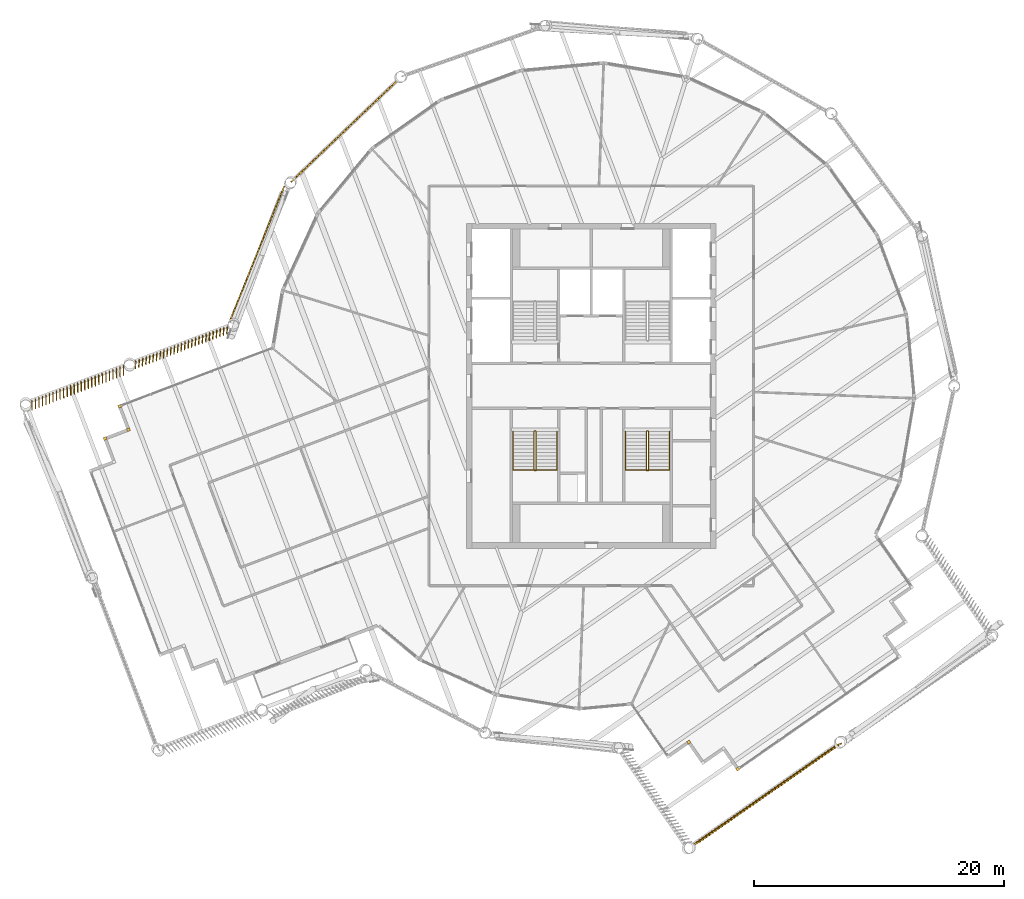
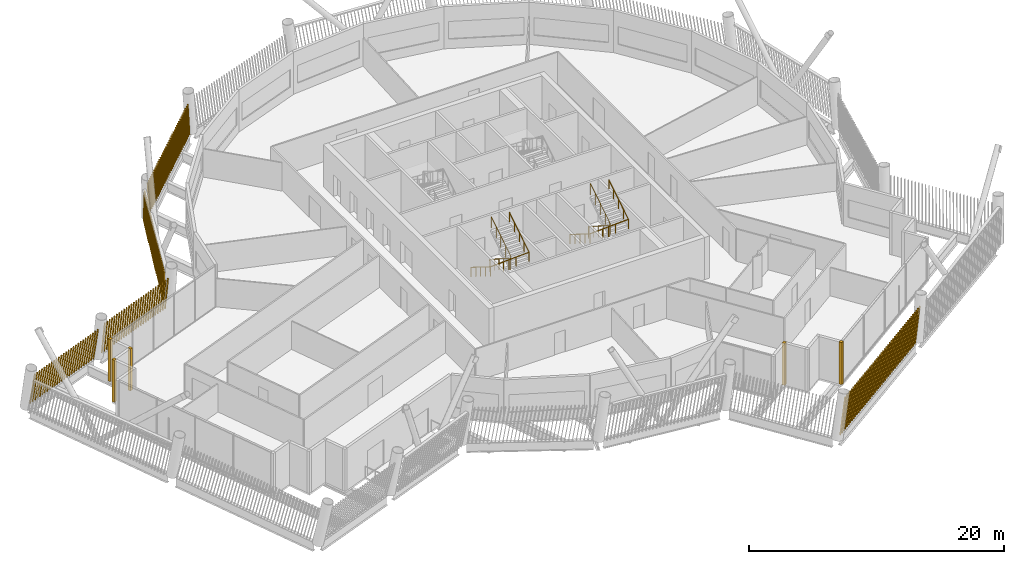
# One storey, part 30 of 33: 10 shading devices, 4 railings.
"""IFC4 building model written with IfcOpenShell, lengths in metres."""

from ifc_helpers import new_model, si_unit, direction, frame, frame_2d, origin, origin_2d, place, context, subcontext, project, spatial, rectangle, circle, composite_profile, extrude, material, type_object, element, save


model = new_model("IFC4")

# Units and contexts
model_context = context("Model", 3, precision=1e-05, world=origin(), true_north=direction((0.0, 1.0)))
body_context = subcontext(model_context, "Body", "Model", "MODEL_VIEW")
ifc_project = project(units=[si_unit("LENGTHUNIT", "METRE"), si_unit("AREAUNIT", "SQUARE_METRE"), si_unit("VOLUMEUNIT", "CUBIC_METRE"), si_unit("PLANEANGLEUNIT", "RADIAN"), si_unit("MASSUNIT", "GRAM", prefix="KILO")], contexts=[model_context])

# Site, building, storey
site_placement = place(None, origin())
site = spatial("IfcSite", under=ifc_project, at=site_placement, CompositionType="ELEMENT")
building_placement = place(site_placement, origin())
building = spatial("IfcBuilding", under=site, at=building_placement, Name="Tarsis Ring Headquarters", CompositionType="ELEMENT")
storey_placement = place(building_placement, frame((0.0, 0.0, 369.199951171875)))
storey = spatial("IfcBuildingStorey", under=building, at=storey_placement, Name="L87", CompositionType="ELEMENT", Elevation=369.199951171875)

# Railings
ifc_material_1 = material(Name="Steel S355", Category="steel")
railing_type_1 = type_object("IfcRailingType", Name="Core stair guard 1100", PredefinedType="GUARDRAIL", material=ifc_material_1)
railing_1_placement = place(storey_placement, frame((-4.4599609375, -3.610107421875, 0.0)))
element("IfcRailing", 1, at=railing_1_placement, inside=storey, type_object=railing_type_1, Name="L87 ST3 stair guard 1", PredefinedType="GUARDRAIL", context=body_context, shape_type="SweptSolid", body=[
    extrude(circle(Radius=0.02392578125, at=origin_2d()), frame((0.0, 0.0, 1.076171875), z_axis=(-1.0, 0.0, 0.0), x_axis=(0.0, -1.0, 0.0)), (0.0, 0.0, 1.0), 0.080078125),
    extrude(circle(Radius=0.02392578125, at=origin_2d()), frame((-0.080078125, 0.0, 1.076171875), z_axis=(-0.265155923931, -0.263862480399, 0.927399011991), x_axis=(0.705375805398, -0.708833529934, 0.0)), (0.0, 0.0, 1.0), 0.188720703125),
    extrude(circle(Radius=0.02392578125, at=origin_2d()), frame((-0.130126953125, -0.0498046875, 1.2509765625), z_axis=(0.0, -0.847998304005, 0.529998940003), x_axis=(1.0, 0.0, 0.0)), (0.0, 0.0, 1.0), 3.632080078125),
    extrude(circle(Radius=0.02392578125, at=origin_2d()), frame((-0.130126953125, -3.1298828125, 3.17626953125), z_axis=(0.707106781187, -0.707106781187, 0.0), x_axis=(0.707106781187, 0.707106781187, 0.0)), (0.0, 0.0, 1.0), 0.07080078125),
    extrude(circle(Radius=0.02392578125, at=origin_2d()), frame((-0.080078125, -3.179931640625, 3.17626953125), z_axis=(1.0, 0.0, 0.0), x_axis=(0.0, 1.0, 0.0)), (0.0, 0.0, 1.0), 0.080078125),
    extrude(circle(Radius=0.02392578125, at=origin_2d()), frame((0.0, -3.179931640625, 3.17626953125), z_axis=(0.265065253269, 0.265065253269, 0.927081885822), x_axis=(-0.707106781187, 0.707106781187, 0.0)), (0.0, 0.0, 1.0), 0.188720703125),
    extrude(circle(Radius=0.02392578125, at=origin_2d()), frame((0.050048828125, -3.1298828125, 3.35107421875), z_axis=(0.0, 0.848028513186, 0.529950602248), x_axis=(-1.0, 0.0, 0.0)), (0.0, 0.0, 1.0), 3.632080078125),
    extrude(circle(Radius=0.02099609375, at=origin_2d()), origin(), (0.0, 0.0, 1.0), 1.052001953125),
    extrude(circle(Radius=0.02099609375, at=origin_2d()), frame((-0.080078125, 0.0, 0.0)), (0.0, 0.0, 1.0), 1.052001953125),
    extrude(circle(Radius=0.02099609375, at=origin_2d()), frame((-0.130126953125, -0.0498046875, 0.175048828125)), (0.0, 0.0, 1.0), 1.052001953125),
    extrude(circle(Radius=0.02099609375, at=origin_2d()), frame((-0.130126953125, -0.81982421875, 0.65625)), (0.0, 0.0, 1.0), 1.052001953125),
    extrude(circle(Radius=0.02099609375, at=origin_2d()), frame((-0.130126953125, -1.58984375, 1.1376953125)), (0.0, 0.0, 1.0), 1.052001953125),
    extrude(circle(Radius=0.02099609375, at=origin_2d()), frame((-0.130126953125, -2.35986328125, 1.618896484375)), (0.0, 0.0, 1.0), 1.052001953125),
    extrude(circle(Radius=0.02099609375, at=origin_2d()), frame((-0.130126953125, -3.1298828125, 2.10009765625)), (0.0, 0.0, 1.0), 1.052001953125),
    extrude(circle(Radius=0.02099609375, at=origin_2d()), frame((-0.080078125, -3.179931640625, 2.10009765625)), (0.0, 0.0, 1.0), 1.052001953125),
    extrude(circle(Radius=0.02099609375, at=origin_2d()), frame((0.0, -3.179931640625, 2.10009765625)), (0.0, 0.0, 1.0), 1.052001953125),
    extrude(circle(Radius=0.02099609375, at=origin_2d()), frame((0.050048828125, -3.1298828125, 2.275146484375)), (0.0, 0.0, 1.0), 1.052001953125),
    extrude(circle(Radius=0.02099609375, at=origin_2d()), frame((0.050048828125, -2.35986328125, 2.75634765625)), (0.0, 0.0, 1.0), 1.052001953125),
    extrude(circle(Radius=0.02099609375, at=origin_2d()), frame((0.050048828125, -1.58984375, 3.237548828125)), (0.0, 0.0, 1.0), 1.052001953125),
    extrude(circle(Radius=0.02099609375, at=origin_2d()), frame((0.050048828125, -0.81982421875, 3.71875)), (0.0, 0.0, 1.0), 1.052001953125),
    extrude(circle(Radius=0.02099609375, at=origin_2d()), frame((0.050048828125, -0.0498046875, 4.199951171875)), (0.0, 0.0, 1.0), 1.052001953125),
])
railing_2_placement = place(storey_placement, frame((4.5400390625, -3.610107421875, 0.0)))
element("IfcRailing", 2, at=railing_2_placement, inside=storey, type_object=railing_type_1, Name="L87 ST4 stair guard 1", PredefinedType="GUARDRAIL", context=body_context, shape_type="SweptSolid", body=[
    extrude(circle(Radius=0.02392578125, at=origin_2d()), frame((0.0, 0.0, 1.076171875), z_axis=(-1.0, 0.0, 0.0), x_axis=(0.0, -1.0, 0.0)), (0.0, 0.0, 1.0), 0.080078125),
    extrude(circle(Radius=0.02392578125, at=origin_2d()), frame((-0.080078125, 0.0, 1.076171875), z_axis=(-0.265155923931, -0.263862480399, 0.927399011991), x_axis=(0.705375805398, -0.708833529934, 0.0)), (0.0, 0.0, 1.0), 0.188720703125),
    extrude(circle(Radius=0.02392578125, at=origin_2d()), frame((-0.130126953125, -0.0498046875, 1.2509765625), z_axis=(0.0, -0.847998304005, 0.529998940003), x_axis=(1.0, 0.0, 0.0)), (0.0, 0.0, 1.0), 3.632080078125),
    extrude(circle(Radius=0.02392578125, at=origin_2d()), frame((-0.130126953125, -3.1298828125, 3.17626953125), z_axis=(0.707106781187, -0.707106781187, 0.0), x_axis=(0.707106781187, 0.707106781187, 0.0)), (0.0, 0.0, 1.0), 0.07080078125),
    extrude(circle(Radius=0.02392578125, at=origin_2d()), frame((-0.080078125, -3.179931640625, 3.17626953125), z_axis=(1.0, 0.0, 0.0), x_axis=(0.0, 1.0, 0.0)), (0.0, 0.0, 1.0), 0.080078125),
    extrude(circle(Radius=0.02392578125, at=origin_2d()), frame((0.0, -3.179931640625, 3.17626953125), z_axis=(0.265065253269, 0.265065253269, 0.927081885822), x_axis=(-0.707106781187, 0.707106781187, 0.0)), (0.0, 0.0, 1.0), 0.188720703125),
    extrude(circle(Radius=0.02392578125, at=origin_2d()), frame((0.050048828125, -3.1298828125, 3.35107421875), z_axis=(0.0, 0.848028513186, 0.529950602248), x_axis=(-1.0, 0.0, 0.0)), (0.0, 0.0, 1.0), 3.632080078125),
    extrude(circle(Radius=0.02099609375, at=origin_2d()), origin(), (0.0, 0.0, 1.0), 1.052001953125),
    extrude(circle(Radius=0.02099609375, at=origin_2d()), frame((-0.080078125, 0.0, 0.0)), (0.0, 0.0, 1.0), 1.052001953125),
    extrude(circle(Radius=0.02099609375, at=origin_2d()), frame((-0.130126953125, -0.0498046875, 0.175048828125)), (0.0, 0.0, 1.0), 1.052001953125),
    extrude(circle(Radius=0.02099609375, at=origin_2d()), frame((-0.130126953125, -0.81982421875, 0.65625)), (0.0, 0.0, 1.0), 1.052001953125),
    extrude(circle(Radius=0.02099609375, at=origin_2d()), frame((-0.130126953125, -1.58984375, 1.1376953125)), (0.0, 0.0, 1.0), 1.052001953125),
    extrude(circle(Radius=0.02099609375, at=origin_2d()), frame((-0.130126953125, -2.35986328125, 1.618896484375)), (0.0, 0.0, 1.0), 1.052001953125),
    extrude(circle(Radius=0.02099609375, at=origin_2d()), frame((-0.130126953125, -3.1298828125, 2.10009765625)), (0.0, 0.0, 1.0), 1.052001953125),
    extrude(circle(Radius=0.02099609375, at=origin_2d()), frame((-0.080078125, -3.179931640625, 2.10009765625)), (0.0, 0.0, 1.0), 1.052001953125),
    extrude(circle(Radius=0.02099609375, at=origin_2d()), frame((0.0, -3.179931640625, 2.10009765625)), (0.0, 0.0, 1.0), 1.052001953125),
    extrude(circle(Radius=0.02099609375, at=origin_2d()), frame((0.050048828125, -3.1298828125, 2.275146484375)), (0.0, 0.0, 1.0), 1.052001953125),
    extrude(circle(Radius=0.02099609375, at=origin_2d()), frame((0.050048828125, -2.35986328125, 2.75634765625)), (0.0, 0.0, 1.0), 1.052001953125),
    extrude(circle(Radius=0.02099609375, at=origin_2d()), frame((0.050048828125, -1.58984375, 3.237548828125)), (0.0, 0.0, 1.0), 1.052001953125),
    extrude(circle(Radius=0.02099609375, at=origin_2d()), frame((0.050048828125, -0.81982421875, 3.71875)), (0.0, 0.0, 1.0), 1.052001953125),
    extrude(circle(Radius=0.02099609375, at=origin_2d()), frame((0.050048828125, -0.0498046875, 4.199951171875)), (0.0, 0.0, 1.0), 1.052001953125),
])
railing_type_2 = type_object("IfcRailingType", Name="Core stair handrail 900", PredefinedType="HANDRAIL", material=ifc_material_1)
railing_3_placement = place(storey_placement, frame((-6.25, -3.659912109375, 0.175048828125)))
element("IfcRailing", 3, at=railing_3_placement, inside=storey, type_object=railing_type_2, Name="L87 ST3 stair handrail 1", PredefinedType="HANDRAIL", context=body_context, shape_type="SweptSolid", body=[
    extrude(circle(Radius=0.02392578125, at=origin_2d()), frame((0.0, 0.0, 0.8759765625), z_axis=(0.0, -0.847998304005, 0.529998940003), x_axis=(1.0, 0.0, 0.0)), (0.0, 0.0, 1.0), 3.632080078125),
    extrude(circle(Radius=0.02392578125, at=origin_2d()), frame((0.0, -3.080078125, 2.80078125), z_axis=(0.998751643845, 0.0, 0.049951515669), x_axis=(0.0, 1.0, 0.0)), (0.0, 0.0, 1.0), 3.50439453125),
    extrude(circle(Radius=0.02392578125, at=origin_2d()), frame((3.5, -3.080078125, 2.97607421875), z_axis=(0.0, 0.848028513186, 0.529950602248), x_axis=(-1.0, 0.0, 0.0)), (0.0, 0.0, 1.0), 3.632080078125),
    extrude(circle(Radius=0.02099609375, at=origin_2d()), origin(), (0.0, 0.0, 1.0), 0.851806640625),
    extrude(circle(Radius=0.02099609375, at=origin_2d()), frame((0.0, -0.77001953125, 0.481201171875)), (0.0, 0.0, 1.0), 0.851806640625),
    extrude(circle(Radius=0.02099609375, at=origin_2d()), frame((0.0, -1.5400390625, 0.96240234375)), (0.0, 0.0, 1.0), 0.851806640625),
    extrude(circle(Radius=0.02099609375, at=origin_2d()), frame((0.0, -2.31005859375, 1.44384765625)), (0.0, 0.0, 1.0), 0.851806640625),
    extrude(circle(Radius=0.02099609375, at=origin_2d()), frame((0.0, -3.080078125, 1.925048828125)), (0.0, 0.0, 1.0), 0.851806640625),
    extrude(circle(Radius=0.02099609375, at=origin_2d()), frame((1.166748046875, -3.080078125, 1.9833984375)), (0.0, 0.0, 1.0), 0.851806640625),
    extrude(circle(Radius=0.02099609375, at=origin_2d()), frame((2.333251953125, -3.080078125, 2.041748046875)), (0.0, 0.0, 1.0), 0.851806640625),
    extrude(circle(Radius=0.02099609375, at=origin_2d()), frame((3.5, -3.080078125, 2.10009765625)), (0.0, 0.0, 1.0), 0.851806640625),
    extrude(circle(Radius=0.02099609375, at=origin_2d()), frame((3.5, -2.31005859375, 2.581298828125)), (0.0, 0.0, 1.0), 0.851806640625),
    extrude(circle(Radius=0.02099609375, at=origin_2d()), frame((3.5, -1.5400390625, 3.0625)), (0.0, 0.0, 1.0), 0.851806640625),
    extrude(circle(Radius=0.02099609375, at=origin_2d()), frame((3.5, -0.77001953125, 3.543701171875)), (0.0, 0.0, 1.0), 0.851806640625),
    extrude(circle(Radius=0.02099609375, at=origin_2d()), frame((3.5, 0.0, 4.02490234375)), (0.0, 0.0, 1.0), 0.851806640625),
])
railing_4_placement = place(storey_placement, frame((2.75, -3.659912109375, 0.175048828125)))
element("IfcRailing", 4, at=railing_4_placement, inside=storey, type_object=railing_type_2, Name="L87 ST4 stair handrail 1", PredefinedType="HANDRAIL", context=body_context, shape_type="SweptSolid", body=[
    extrude(circle(Radius=0.02392578125, at=origin_2d()), frame((0.0, 0.0, 0.8759765625), z_axis=(0.0, -0.847998304005, 0.529998940003), x_axis=(1.0, 0.0, 0.0)), (0.0, 0.0, 1.0), 3.632080078125),
    extrude(circle(Radius=0.02392578125, at=origin_2d()), frame((0.0, -3.080078125, 2.80078125), z_axis=(0.998751643845, 0.0, 0.049951515669), x_axis=(0.0, 1.0, 0.0)), (0.0, 0.0, 1.0), 3.50439453125),
    extrude(circle(Radius=0.02392578125, at=origin_2d()), frame((3.5, -3.080078125, 2.97607421875), z_axis=(0.0, 0.848028513186, 0.529950602248), x_axis=(-1.0, 0.0, 0.0)), (0.0, 0.0, 1.0), 3.632080078125),
    extrude(circle(Radius=0.02099609375, at=origin_2d()), origin(), (0.0, 0.0, 1.0), 0.851806640625),
    extrude(circle(Radius=0.02099609375, at=origin_2d()), frame((0.0, -0.77001953125, 0.481201171875)), (0.0, 0.0, 1.0), 0.851806640625),
    extrude(circle(Radius=0.02099609375, at=origin_2d()), frame((0.0, -1.5400390625, 0.96240234375)), (0.0, 0.0, 1.0), 0.851806640625),
    extrude(circle(Radius=0.02099609375, at=origin_2d()), frame((0.0, -2.31005859375, 1.44384765625)), (0.0, 0.0, 1.0), 0.851806640625),
    extrude(circle(Radius=0.02099609375, at=origin_2d()), frame((0.0, -3.080078125, 1.925048828125)), (0.0, 0.0, 1.0), 0.851806640625),
    extrude(circle(Radius=0.02099609375, at=origin_2d()), frame((1.166748046875, -3.080078125, 1.9833984375)), (0.0, 0.0, 1.0), 0.851806640625),
    extrude(circle(Radius=0.02099609375, at=origin_2d()), frame((2.333251953125, -3.080078125, 2.041748046875)), (0.0, 0.0, 1.0), 0.851806640625),
    extrude(circle(Radius=0.02099609375, at=origin_2d()), frame((3.5, -3.080078125, 2.10009765625)), (0.0, 0.0, 1.0), 0.851806640625),
    extrude(circle(Radius=0.02099609375, at=origin_2d()), frame((3.5, -2.31005859375, 2.581298828125)), (0.0, 0.0, 1.0), 0.851806640625),
    extrude(circle(Radius=0.02099609375, at=origin_2d()), frame((3.5, -1.5400390625, 3.0625)), (0.0, 0.0, 1.0), 0.851806640625),
    extrude(circle(Radius=0.02099609375, at=origin_2d()), frame((3.5, -0.77001953125, 3.543701171875)), (0.0, 0.0, 1.0), 0.851806640625),
    extrude(circle(Radius=0.02099609375, at=origin_2d()), frame((3.5, 0.0, 4.02490234375)), (0.0, 0.0, 1.0), 0.851806640625),
])

# Shading devices
ifc_material_2 = material(Name="Terracotta baguette", Category="masonry")
shading_device_type_1 = type_object("IfcShadingDeviceType", Name="Terracotta baguette screen", PredefinedType="USERDEFINED", material=ifc_material_2)
shading_device_1_placement = place(storey_placement, frame((8.118408203125, -36.7373046875, 0.0), z_axis=(0.0, 0.0, 1.0), x_axis=(0.821141088014, 0.570720919947, 0.0)))
element("IfcShadingDevice", 5, at=shading_device_1_placement, inside=storey, type_object=shading_device_type_1, Name="Baguette screen L87-02", ObjectType="Terracotta baguette screen", PredefinedType="USERDEFINED", context=body_context, shape_type="SweptSolid", body=[
    extrude(composite_profile([rectangle(XDim=0.06005859375, YDim=0.1201171875, at=frame_2d((0.030029296875, 0.0))), rectangle(XDim=0.06005859375, YDim=0.1201171875, at=frame_2d((0.33544921875, 0.0))), rectangle(XDim=0.06005859375, YDim=0.1201171875, at=frame_2d((0.640625, 0.0))), rectangle(XDim=0.06005859375, YDim=0.1201171875, at=frame_2d((0.946044921875, 0.0))), rectangle(XDim=0.06005859375, YDim=0.1201171875, at=frame_2d((1.25146484375, 0.0))), rectangle(XDim=0.06005859375, YDim=0.1201171875, at=frame_2d((1.556640625, 0.0))), rectangle(XDim=0.06005859375, YDim=0.1201171875, at=frame_2d((1.862060546875, 0.0))), rectangle(XDim=0.06005859375, YDim=0.1201171875, at=frame_2d((2.16748046875, 0.0))), rectangle(XDim=0.06005859375, YDim=0.1201171875, at=frame_2d((2.47265625, 0.0))), rectangle(XDim=0.06005859375, YDim=0.1201171875, at=frame_2d((2.778076171875, 0.0))), rectangle(XDim=0.06005859375, YDim=0.1201171875, at=frame_2d((3.08349609375, 0.0))), rectangle(XDim=0.06005859375, YDim=0.1201171875, at=frame_2d((3.388671875, 0.0))), rectangle(XDim=0.06005859375, YDim=0.1201171875, at=frame_2d((3.694091796875, 0.0))), rectangle(XDim=0.06005859375, YDim=0.1201171875, at=frame_2d((3.99951171875, 0.0))), rectangle(XDim=0.06005859375, YDim=0.1201171875, at=frame_2d((4.3046875, 0.0))), rectangle(XDim=0.06005859375, YDim=0.1201171875, at=frame_2d((4.610107421875, 0.0))), rectangle(XDim=0.06005859375, YDim=0.1201171875, at=frame_2d((4.91552734375, 0.0))), rectangle(XDim=0.06005859375, YDim=0.1201171875, at=frame_2d((5.220703125, 0.0))), rectangle(XDim=0.06005859375, YDim=0.1201171875, at=frame_2d((5.526123046875, 0.0))), rectangle(XDim=0.06005859375, YDim=0.1201171875, at=frame_2d((5.83154296875, 0.0))), rectangle(XDim=0.06005859375, YDim=0.1201171875, at=frame_2d((6.13671875, 0.0))), rectangle(XDim=0.06005859375, YDim=0.1201171875, at=frame_2d((6.442138671875, 0.0))), rectangle(XDim=0.06005859375, YDim=0.1201171875, at=frame_2d((6.74755859375, 0.0))), rectangle(XDim=0.06005859375, YDim=0.1201171875, at=frame_2d((7.052734375, 0.0))), rectangle(XDim=0.06005859375, YDim=0.1201171875, at=frame_2d((7.358154296875, 0.0))), rectangle(XDim=0.06005859375, YDim=0.1201171875, at=frame_2d((7.66357421875, 0.0))), rectangle(XDim=0.06005859375, YDim=0.1201171875, at=frame_2d((7.96875, 0.0))), rectangle(XDim=0.06005859375, YDim=0.1201171875, at=frame_2d((8.274169921875, 0.0))), rectangle(XDim=0.06005859375, YDim=0.1201171875, at=frame_2d((8.57958984375, 0.0))), rectangle(XDim=0.06005859375, YDim=0.1201171875, at=frame_2d((8.884765625, 0.0))), rectangle(XDim=0.06005859375, YDim=0.1201171875, at=frame_2d((9.190185546875, 0.0))), rectangle(XDim=0.06005859375, YDim=0.1201171875, at=frame_2d((9.49560546875, 0.0))), rectangle(XDim=0.06005859375, YDim=0.1201171875, at=frame_2d((9.80078125, 0.0))), rectangle(XDim=0.06005859375, YDim=0.1201171875, at=frame_2d((10.106201171875, 0.0))), rectangle(XDim=0.06005859375, YDim=0.1201171875, at=frame_2d((10.41162109375, 0.0))), rectangle(XDim=0.06005859375, YDim=0.1201171875, at=frame_2d((10.716796875, 0.0))), rectangle(XDim=0.06005859375, YDim=0.1201171875, at=frame_2d((11.022216796875, 0.0))), rectangle(XDim=0.06005859375, YDim=0.1201171875, at=frame_2d((11.32763671875, 0.0))), rectangle(XDim=0.06005859375, YDim=0.1201171875, at=frame_2d((11.6328125, 0.0))), rectangle(XDim=0.06005859375, YDim=0.1201171875, at=frame_2d((11.938232421875, 0.0))), rectangle(XDim=0.06005859375, YDim=0.1201171875, at=frame_2d((12.24365234375, 0.0))), rectangle(XDim=0.06005859375, YDim=0.1201171875, at=frame_2d((12.548828125, 0.0))), rectangle(XDim=0.06005859375, YDim=0.1201171875, at=frame_2d((12.854248046875, 0.0))), rectangle(XDim=0.06005859375, YDim=0.1201171875, at=frame_2d((13.15966796875, 0.0))), rectangle(XDim=0.06005859375, YDim=0.1201171875, at=frame_2d((13.46484375, 0.0))), rectangle(XDim=0.06005859375, YDim=0.1201171875, at=frame_2d((13.770263671875, 0.0)))]), origin(), (0.189279411006, -0.038458924702, 0.981169820001), 3.343505859375),
])
shading_device_2_placement = place(storey_placement, frame((-15.532958984375, 24.4267578125, 0.0), z_axis=(0.0, 0.0, 1.0), x_axis=(-0.723500303846, -0.690315999653, 0.0)))
element("IfcShadingDevice", 6, at=shading_device_2_placement, inside=storey, type_object=shading_device_type_1, Name="Baguette screen L87-11", ObjectType="Terracotta baguette screen", PredefinedType="USERDEFINED", context=body_context, shape_type="SweptSolid", body=[
    extrude(composite_profile([rectangle(XDim=0.06005859375, YDim=0.1201171875, at=frame_2d((0.030029296875, 0.0))), rectangle(XDim=0.06005859375, YDim=0.1201171875, at=frame_2d((0.33251953125, 0.0))), rectangle(XDim=0.06005859375, YDim=0.1201171875, at=frame_2d((0.634765625, 0.0))), rectangle(XDim=0.06005859375, YDim=0.1201171875, at=frame_2d((0.937255859375, 0.0))), rectangle(XDim=0.06005859375, YDim=0.1201171875, at=frame_2d((1.239501953125, 0.0))), rectangle(XDim=0.06005859375, YDim=0.1201171875, at=frame_2d((1.5419921875, 0.0))), rectangle(XDim=0.06005859375, YDim=0.1201171875, at=frame_2d((1.844482421875, 0.0))), rectangle(XDim=0.06005859375, YDim=0.1201171875, at=frame_2d((2.146728515625, 0.0))), rectangle(XDim=0.06005859375, YDim=0.1201171875, at=frame_2d((2.44921875, 0.0))), rectangle(XDim=0.06005859375, YDim=0.1201171875, at=frame_2d((2.751708984375, 0.0))), rectangle(XDim=0.06005859375, YDim=0.1201171875, at=frame_2d((3.053955078125, 0.0))), rectangle(XDim=0.06005859375, YDim=0.1201171875, at=frame_2d((3.3564453125, 0.0))), rectangle(XDim=0.06005859375, YDim=0.1201171875, at=frame_2d((3.65869140625, 0.0))), rectangle(XDim=0.06005859375, YDim=0.1201171875, at=frame_2d((3.961181640625, 0.0))), rectangle(XDim=0.06005859375, YDim=0.1201171875, at=frame_2d((4.263671875, 0.0))), rectangle(XDim=0.06005859375, YDim=0.1201171875, at=frame_2d((4.56591796875, 0.0))), rectangle(XDim=0.06005859375, YDim=0.1201171875, at=frame_2d((4.868408203125, 0.0))), rectangle(XDim=0.06005859375, YDim=0.1201171875, at=frame_2d((5.1708984375, 0.0))), rectangle(XDim=0.06005859375, YDim=0.1201171875, at=frame_2d((5.47314453125, 0.0))), rectangle(XDim=0.06005859375, YDim=0.1201171875, at=frame_2d((5.775634765625, 0.0))), rectangle(XDim=0.06005859375, YDim=0.1201171875, at=frame_2d((6.077880859375, 0.0))), rectangle(XDim=0.06005859375, YDim=0.1201171875, at=frame_2d((6.38037109375, 0.0))), rectangle(XDim=0.06005859375, YDim=0.1201171875, at=frame_2d((6.682861328125, 0.0))), rectangle(XDim=0.06005859375, YDim=0.1201171875, at=frame_2d((6.985107421875, 0.0))), rectangle(XDim=0.06005859375, YDim=0.1201171875, at=frame_2d((7.28759765625, 0.0))), rectangle(XDim=0.06005859375, YDim=0.1201171875, at=frame_2d((7.590087890625, 0.0))), rectangle(XDim=0.06005859375, YDim=0.1201171875, at=frame_2d((7.892333984375, 0.0))), rectangle(XDim=0.06005859375, YDim=0.1201171875, at=frame_2d((8.19482421875, 0.0))), rectangle(XDim=0.06005859375, YDim=0.1201171875, at=frame_2d((8.4970703125, 0.0))), rectangle(XDim=0.06005859375, YDim=0.1201171875, at=frame_2d((8.799560546875, 0.0))), rectangle(XDim=0.06005859375, YDim=0.1201171875, at=frame_2d((9.10205078125, 0.0))), rectangle(XDim=0.06005859375, YDim=0.1201171875, at=frame_2d((9.404296875, 0.0))), rectangle(XDim=0.06005859375, YDim=0.1201171875, at=frame_2d((9.706787109375, 0.0))), rectangle(XDim=0.06005859375, YDim=0.1201171875, at=frame_2d((10.00927734375, 0.0))), rectangle(XDim=0.06005859375, YDim=0.1201171875, at=frame_2d((10.3115234375, 0.0))), rectangle(XDim=0.06005859375, YDim=0.1201171875, at=frame_2d((10.614013671875, 0.0))), rectangle(XDim=0.06005859375, YDim=0.1201171875, at=frame_2d((10.916259765625, 0.0))), rectangle(XDim=0.06005859375, YDim=0.1201171875, at=frame_2d((11.21875, 0.0)))]), origin(), (0.155201944209, 0.001411075276, 0.987881756781), 3.32080078125),
])
shading_device_3_placement = place(storey_placement, frame((-24.568359375, 15.9931640625, 0.0), z_axis=(0.0, 0.0, 1.0), x_axis=(-0.374628323386, -0.92718393923, 0.0)))
element("IfcShadingDevice", 7, at=shading_device_3_placement, inside=storey, type_object=shading_device_type_1, Name="Baguette screen L87-12", ObjectType="Terracotta baguette screen", PredefinedType="USERDEFINED", context=body_context, shape_type="SweptSolid", body=[
    extrude(composite_profile([rectangle(XDim=0.06005859375, YDim=0.1201171875, at=frame_2d((0.030029296875, 0.0))), rectangle(XDim=0.06005859375, YDim=0.1201171875, at=frame_2d((0.33251953125, 0.0))), rectangle(XDim=0.06005859375, YDim=0.1201171875, at=frame_2d((0.634765625, 0.0))), rectangle(XDim=0.06005859375, YDim=0.1201171875, at=frame_2d((0.937255859375, 0.0))), rectangle(XDim=0.06005859375, YDim=0.1201171875, at=frame_2d((1.239501953125, 0.0))), rectangle(XDim=0.06005859375, YDim=0.1201171875, at=frame_2d((1.5419921875, 0.0))), rectangle(XDim=0.06005859375, YDim=0.1201171875, at=frame_2d((1.844482421875, 0.0))), rectangle(XDim=0.06005859375, YDim=0.1201171875, at=frame_2d((2.146728515625, 0.0))), rectangle(XDim=0.06005859375, YDim=0.1201171875, at=frame_2d((2.44921875, 0.0))), rectangle(XDim=0.06005859375, YDim=0.1201171875, at=frame_2d((2.751708984375, 0.0))), rectangle(XDim=0.06005859375, YDim=0.1201171875, at=frame_2d((3.053955078125, 0.0))), rectangle(XDim=0.06005859375, YDim=0.1201171875, at=frame_2d((3.3564453125, 0.0))), rectangle(XDim=0.06005859375, YDim=0.1201171875, at=frame_2d((3.65869140625, 0.0))), rectangle(XDim=0.06005859375, YDim=0.1201171875, at=frame_2d((3.961181640625, 0.0))), rectangle(XDim=0.06005859375, YDim=0.1201171875, at=frame_2d((4.263671875, 0.0))), rectangle(XDim=0.06005859375, YDim=0.1201171875, at=frame_2d((4.56591796875, 0.0))), rectangle(XDim=0.06005859375, YDim=0.1201171875, at=frame_2d((4.868408203125, 0.0))), rectangle(XDim=0.06005859375, YDim=0.1201171875, at=frame_2d((5.1708984375, 0.0))), rectangle(XDim=0.06005859375, YDim=0.1201171875, at=frame_2d((5.47314453125, 0.0))), rectangle(XDim=0.06005859375, YDim=0.1201171875, at=frame_2d((5.775634765625, 0.0))), rectangle(XDim=0.06005859375, YDim=0.1201171875, at=frame_2d((6.077880859375, 0.0))), rectangle(XDim=0.06005859375, YDim=0.1201171875, at=frame_2d((6.38037109375, 0.0))), rectangle(XDim=0.06005859375, YDim=0.1201171875, at=frame_2d((6.682861328125, 0.0))), rectangle(XDim=0.06005859375, YDim=0.1201171875, at=frame_2d((6.985107421875, 0.0))), rectangle(XDim=0.06005859375, YDim=0.1201171875, at=frame_2d((7.28759765625, 0.0))), rectangle(XDim=0.06005859375, YDim=0.1201171875, at=frame_2d((7.590087890625, 0.0))), rectangle(XDim=0.06005859375, YDim=0.1201171875, at=frame_2d((7.892333984375, 0.0))), rectangle(XDim=0.06005859375, YDim=0.1201171875, at=frame_2d((8.19482421875, 0.0))), rectangle(XDim=0.06005859375, YDim=0.1201171875, at=frame_2d((8.4970703125, 0.0))), rectangle(XDim=0.06005859375, YDim=0.1201171875, at=frame_2d((8.799560546875, 0.0))), rectangle(XDim=0.06005859375, YDim=0.1201171875, at=frame_2d((9.10205078125, 0.0))), rectangle(XDim=0.06005859375, YDim=0.1201171875, at=frame_2d((9.404296875, 0.0))), rectangle(XDim=0.06005859375, YDim=0.1201171875, at=frame_2d((9.706787109375, 0.0))), rectangle(XDim=0.06005859375, YDim=0.1201171875, at=frame_2d((10.00927734375, 0.0))), rectangle(XDim=0.06005859375, YDim=0.1201171875, at=frame_2d((10.3115234375, 0.0))), rectangle(XDim=0.06005859375, YDim=0.1201171875, at=frame_2d((10.614013671875, 0.0))), rectangle(XDim=0.06005859375, YDim=0.1201171875, at=frame_2d((10.916259765625, 0.0))), rectangle(XDim=0.06005859375, YDim=0.1201171875, at=frame_2d((11.21875, 0.0)))]), origin(), (0.157203535311, 0.001426547661, 0.98756519453), 3.32177734375),
])
shading_device_4_placement = place(storey_placement, frame((-29.08935546875, 4.78173828125, 0.0), z_axis=(0.0, 0.0, 1.0), x_axis=(-0.934812160158, -0.355103806228, 0.0)))
element("IfcShadingDevice", 8, at=shading_device_4_placement, inside=storey, type_object=shading_device_type_1, Name="Baguette screen L87-13", ObjectType="Terracotta baguette screen", PredefinedType="USERDEFINED", context=body_context, shape_type="SweptSolid", body=[
    extrude(composite_profile([rectangle(XDim=0.06005859375, YDim=0.1201171875, at=frame_2d((0.030029296875, 0.0))), rectangle(XDim=0.06005859375, YDim=0.1201171875, at=frame_2d((0.33154296875, 0.0))), rectangle(XDim=0.06005859375, YDim=0.1201171875, at=frame_2d((0.63330078125, 0.0))), rectangle(XDim=0.06005859375, YDim=0.1201171875, at=frame_2d((0.934814453125, 0.0))), rectangle(XDim=0.06005859375, YDim=0.1201171875, at=frame_2d((1.236572265625, 0.0))), rectangle(XDim=0.06005859375, YDim=0.1201171875, at=frame_2d((1.5380859375, 0.0))), rectangle(XDim=0.06005859375, YDim=0.1201171875, at=frame_2d((1.83984375, 0.0))), rectangle(XDim=0.06005859375, YDim=0.1201171875, at=frame_2d((2.141357421875, 0.0))), rectangle(XDim=0.06005859375, YDim=0.1201171875, at=frame_2d((2.443115234375, 0.0))), rectangle(XDim=0.06005859375, YDim=0.1201171875, at=frame_2d((2.74462890625, 0.0))), rectangle(XDim=0.06005859375, YDim=0.1201171875, at=frame_2d((3.04638671875, 0.0))), rectangle(XDim=0.06005859375, YDim=0.1201171875, at=frame_2d((3.347900390625, 0.0))), rectangle(XDim=0.06005859375, YDim=0.1201171875, at=frame_2d((3.649658203125, 0.0))), rectangle(XDim=0.06005859375, YDim=0.1201171875, at=frame_2d((3.951171875, 0.0))), rectangle(XDim=0.06005859375, YDim=0.1201171875, at=frame_2d((4.252685546875, 0.0))), rectangle(XDim=0.06005859375, YDim=0.1201171875, at=frame_2d((4.554443359375, 0.0))), rectangle(XDim=0.06005859375, YDim=0.1201171875, at=frame_2d((4.85595703125, 0.0))), rectangle(XDim=0.06005859375, YDim=0.1201171875, at=frame_2d((5.15771484375, 0.0))), rectangle(XDim=0.06005859375, YDim=0.1201171875, at=frame_2d((5.459228515625, 0.0))), rectangle(XDim=0.06005859375, YDim=0.1201171875, at=frame_2d((5.760986328125, 0.0))), rectangle(XDim=0.06005859375, YDim=0.1201171875, at=frame_2d((6.0625, 0.0))), rectangle(XDim=0.06005859375, YDim=0.1201171875, at=frame_2d((6.3642578125, 0.0))), rectangle(XDim=0.06005859375, YDim=0.1201171875, at=frame_2d((6.665771484375, 0.0))), rectangle(XDim=0.06005859375, YDim=0.1201171875, at=frame_2d((6.967529296875, 0.0))), rectangle(XDim=0.06005859375, YDim=0.1201171875, at=frame_2d((7.26904296875, 0.0))), rectangle(XDim=0.06005859375, YDim=0.1201171875, at=frame_2d((7.57080078125, 0.0))), rectangle(XDim=0.06005859375, YDim=0.1201171875, at=frame_2d((7.872314453125, 0.0)))]), origin(), (0.079101621567, 0.16100798679, 0.983778105904), 3.334716796875),
])
shading_device_5_placement = place(storey_placement, frame((-37.411376953125, 1.62060546875, 0.0), z_axis=(0.0, 0.0, 1.0), x_axis=(-0.934843054869, -0.355103806228, 0.0)))
element("IfcShadingDevice", 9, at=shading_device_5_placement, inside=storey, type_object=shading_device_type_1, Name="Baguette screen L87-14", ObjectType="Terracotta baguette screen", PredefinedType="USERDEFINED", context=body_context, shape_type="SweptSolid", body=[
    extrude(composite_profile([rectangle(XDim=0.06005859375, YDim=0.1201171875, at=frame_2d((0.030029296875, 0.0))), rectangle(XDim=0.06005859375, YDim=0.1201171875, at=frame_2d((0.33154296875, 0.0))), rectangle(XDim=0.06005859375, YDim=0.1201171875, at=frame_2d((0.63330078125, 0.0))), rectangle(XDim=0.06005859375, YDim=0.1201171875, at=frame_2d((0.934814453125, 0.0))), rectangle(XDim=0.06005859375, YDim=0.1201171875, at=frame_2d((1.236572265625, 0.0))), rectangle(XDim=0.06005859375, YDim=0.1201171875, at=frame_2d((1.5380859375, 0.0))), rectangle(XDim=0.06005859375, YDim=0.1201171875, at=frame_2d((1.83984375, 0.0))), rectangle(XDim=0.06005859375, YDim=0.1201171875, at=frame_2d((2.141357421875, 0.0))), rectangle(XDim=0.06005859375, YDim=0.1201171875, at=frame_2d((2.443115234375, 0.0))), rectangle(XDim=0.06005859375, YDim=0.1201171875, at=frame_2d((2.74462890625, 0.0))), rectangle(XDim=0.06005859375, YDim=0.1201171875, at=frame_2d((3.04638671875, 0.0))), rectangle(XDim=0.06005859375, YDim=0.1201171875, at=frame_2d((3.347900390625, 0.0))), rectangle(XDim=0.06005859375, YDim=0.1201171875, at=frame_2d((3.649658203125, 0.0))), rectangle(XDim=0.06005859375, YDim=0.1201171875, at=frame_2d((3.951171875, 0.0))), rectangle(XDim=0.06005859375, YDim=0.1201171875, at=frame_2d((4.252685546875, 0.0))), rectangle(XDim=0.06005859375, YDim=0.1201171875, at=frame_2d((4.554443359375, 0.0))), rectangle(XDim=0.06005859375, YDim=0.1201171875, at=frame_2d((4.85595703125, 0.0))), rectangle(XDim=0.06005859375, YDim=0.1201171875, at=frame_2d((5.15771484375, 0.0))), rectangle(XDim=0.06005859375, YDim=0.1201171875, at=frame_2d((5.459228515625, 0.0))), rectangle(XDim=0.06005859375, YDim=0.1201171875, at=frame_2d((5.760986328125, 0.0))), rectangle(XDim=0.06005859375, YDim=0.1201171875, at=frame_2d((6.0625, 0.0))), rectangle(XDim=0.06005859375, YDim=0.1201171875, at=frame_2d((6.3642578125, 0.0))), rectangle(XDim=0.06005859375, YDim=0.1201171875, at=frame_2d((6.665771484375, 0.0))), rectangle(XDim=0.06005859375, YDim=0.1201171875, at=frame_2d((6.967529296875, 0.0))), rectangle(XDim=0.06005859375, YDim=0.1201171875, at=frame_2d((7.26904296875, 0.0))), rectangle(XDim=0.06005859375, YDim=0.1201171875, at=frame_2d((7.57080078125, 0.0))), rectangle(XDim=0.06005859375, YDim=0.1201171875, at=frame_2d((7.872314453125, 0.0)))]), origin(), (0.077967502533, 0.207621270213, 0.975097162699), 3.3642578125),
])
shading_device_type_2 = type_object("IfcShadingDeviceType", Name="Terracotta corner baguette 250x250", PredefinedType="USERDEFINED", material=ifc_material_2)
for number, where, z_axis, x_axis, name in (
    (10, (7.7998046875, -28.525390625, 0.0), (0.0, 0.0, 1.0), (0.82114940835, 0.570713281049, 0.0), "Corner baguette L87-08"),
    (11, (11.724853515625, -30.66845703125, 0.0), (0.0, 0.0, 1.0), (0.570713281049, -0.82114940835, 0.0), "Corner baguette L87-11"),
    (12, (-37.753662109375, -1.638427734375, 0.0), (0.0, 0.0, 1.0), (-0.934825682594, -0.355106946092, 0.0), "Corner baguette L87-32"),
    (13, (-37.04345703125, -3.508056640625, 0.0), (0.0, 0.0, 1.0), (0.355106880829, -0.934825707385, 0.0), "Corner baguette L87-33"),
    (14, (-38.9130859375, -4.21826171875, 0.0), (0.0, 0.0, 1.0), (-0.934825639209, -0.355107060303, 0.0), "Corner baguette L87-34"),
):
    element("IfcShadingDevice", number, at=place(storey_placement, frame(where, z_axis=z_axis, x_axis=x_axis)), inside=storey, type_object=shading_device_type_2, Name=name, ObjectType="Terracotta corner baguette", PredefinedType="USERDEFINED", context=body_context, shape_type="SweptSolid", body=[
        extrude(rectangle(XDim=0.25, YDim=0.25, at=origin_2d()), origin(), (0.0, 0.0, 1.0), 4.0400390625),
    ])

save(model, "model.ifc")
